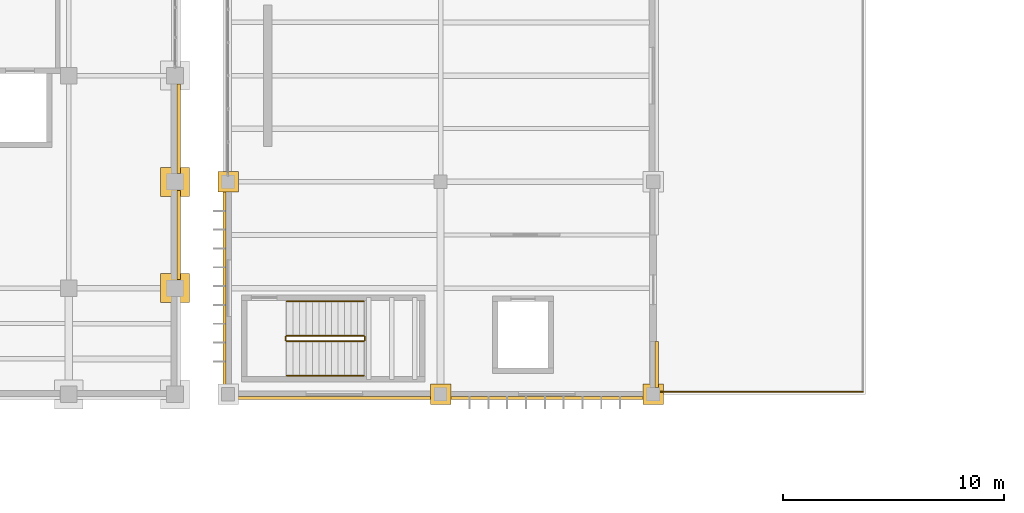
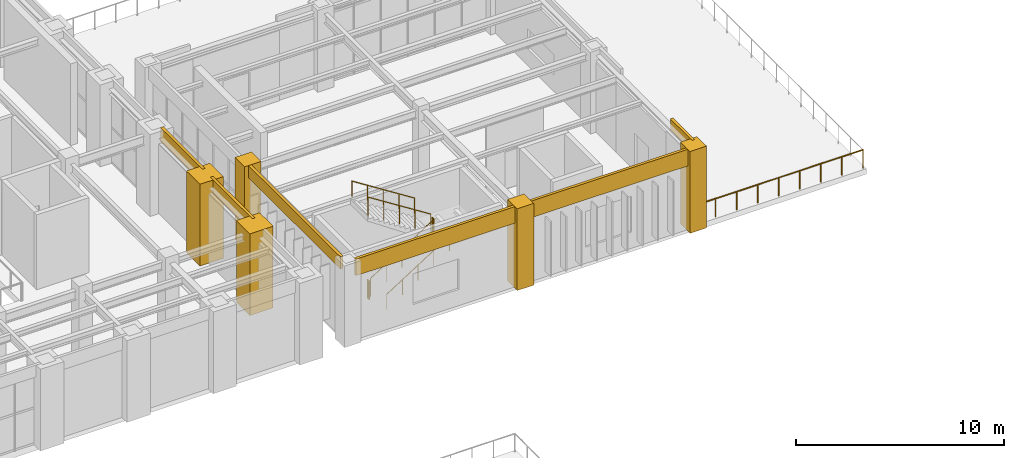
# One storey, part 70 of 83: 11 coverings, 7 railings.
"""IFC4 building model written with IfcOpenShell, lengths in metres."""

from ifc_helpers import new_model, si_unit, direction, frame, origin, origin_2d, place, context, subcontext, project, spatial, polyline, circle, outline, extrude, material, layer, layer_set, type_object, element, save


model = new_model("IFC4")

# Units and contexts
model_context = context("Model", 3, precision=1e-05, world=origin(), true_north=direction((0.0, 1.0)))
body_context = subcontext(model_context, "Body", "Model", "MODEL_VIEW")
ifc_project = project(units=[si_unit("LENGTHUNIT", "METRE"), si_unit("AREAUNIT", "SQUARE_METRE"), si_unit("VOLUMEUNIT", "CUBIC_METRE"), si_unit("PLANEANGLEUNIT", "RADIAN"), si_unit("MASSUNIT", "GRAM", prefix="KILO")], contexts=[model_context])

# Site, building, storey
site_placement = place(None, origin())
site = spatial("IfcSite", under=ifc_project, at=site_placement, CompositionType="ELEMENT")
building_placement = place(site_placement, origin())
building = spatial("IfcBuilding", under=site, at=building_placement, Name="Mavantir Sound Aquarium", CompositionType="ELEMENT")
storey_placement = place(building_placement, frame((0.0, 0.0, 10.5)))
storey = spatial("IfcBuildingStorey", under=building, at=storey_placement, Name="L02", CompositionType="ELEMENT", Elevation=10.5)

# Coverings
ifc_material_1 = material(Name="Honed Coral-Limestone & Glazed Terracotta Rainscreen Cladding", Category="masonry")
ifc_layer = layer(ifc_material_1, 0.06005859375, Name="Honed Coral-Limestone & Glazed Terracotta Rainscreen Cladding")
ifc_layer_set = layer_set([ifc_layer], Name="Honed Coral-Limestone & Glazed Terracotta Rainscreen Cladding")
covering_type = type_object("IfcCoveringType", Name="COV-CLAD-TC", PredefinedType="CLADDING", material=ifc_layer_set)
covering_1_placement = place(storey_placement, frame((0.0, 0.0, 4.008056640625)))
element("IfcCovering", 1, at=covering_1_placement, inside=storey, type_object=covering_type, Name="L02 Postmodern coral-limestone spandrel frieze 286", PredefinedType="CLADDING", context=body_context, shape_type="SweptSolid", body=[
    extrude(outline(polyline([(33.68994140625, 45.98291015625), (33.68994140625, 50.01708984375), (33.840087890625, 50.01708984375), (33.840087890625, 45.98291015625), (33.68994140625, 45.98291015625)])), origin(), (0.0, 0.0, 1.0), 0.7919921875),
])
covering_2_placement = place(storey_placement, frame((0.0, 0.0, 4.008056640625)))
element("IfcCovering", 2, at=covering_2_placement, inside=storey, type_object=covering_type, Name="L02 Postmodern coral-limestone spandrel frieze 287", PredefinedType="CLADDING", context=body_context, shape_type="SweptSolid", body=[
    extrude(outline(polyline([(33.68994140625, 50.782958984375), (33.68994140625, 54.81689453125), (33.840087890625, 54.81689453125), (33.840087890625, 50.782958984375), (33.68994140625, 50.782958984375)])), origin(), (0.0, 0.0, 1.0), 0.7919921875),
])
covering_3_placement = place(storey_placement, frame((0.0, 0.0, 4.1279296875)))
element("IfcCovering", 3, at=covering_3_placement, inside=storey, type_object=covering_type, Name="L02 Postmodern coral-limestone spandrel frieze 314", PredefinedType="CLADDING", context=body_context, shape_type="SweptSolid", body=[
    extrude(outline(polyline([(55.2900390625, 41.10791015625), (55.2900390625, 43.195068359375), (55.43994140625, 43.195068359375), (55.43994140625, 41.10791015625), (55.2900390625, 41.10791015625)])), origin(), (0.0, 0.0, 1.0), 0.672119140625),
])
covering_4_placement = place(storey_placement, frame((0.0, 0.0, 4.0830078125)))
element("IfcCovering", 4, at=covering_4_placement, inside=storey, type_object=covering_type, Name="L02 Postmodern coral-limestone spandrel frieze 321", PredefinedType="CLADDING", context=body_context, shape_type="SweptSolid", body=[
    extrude(outline(polyline([(35.909912109375, 50.092041015625), (35.909912109375, 41.10791015625), (35.760009765625, 41.10791015625), (35.760009765625, 50.092041015625), (35.909912109375, 50.092041015625)])), origin(), (0.0, 0.0, 1.0), 0.717041015625),
])
covering_5_placement = place(storey_placement, frame((0.0, 0.0, 3.824951171875)))
element("IfcCovering", 5, at=covering_5_placement, inside=storey, type_object=covering_type, Name="L02 Postmodern coral-limestone spandrel frieze 322", PredefinedType="CLADDING", context=body_context, shape_type="SweptSolid", body=[
    extrude(outline(polyline([(36.30810546875, 40.7099609375), (45.2919921875, 40.7099609375), (45.2919921875, 40.56005859375), (36.30810546875, 40.56005859375), (36.30810546875, 40.7099609375)])), origin(), (0.0, 0.0, 1.0), 0.97509765625),
])
covering_6_placement = place(storey_placement, frame((0.0, 0.0, 3.824951171875)))
element("IfcCovering", 6, at=covering_6_placement, inside=storey, type_object=covering_type, Name="L02 Postmodern coral-limestone spandrel frieze 323", PredefinedType="CLADDING", context=body_context, shape_type="SweptSolid", body=[
    extrude(outline(polyline([(45.907958984375, 40.7099609375), (54.89208984375, 40.7099609375), (54.89208984375, 40.56005859375), (45.907958984375, 40.56005859375), (45.907958984375, 40.7099609375)])), origin(), (0.0, 0.0, 1.0), 0.97509765625),
])
covering_7_placement = place(storey_placement, origin())
element("IfcCovering", 7, at=covering_7_placement, inside=storey, type_object=covering_type, Name="L02 Postmodern coral-limestone pilaster casing 91", PredefinedType="CLADDING", context=body_context, shape_type="SweptSolid", body=[
    extrude(outline(polyline([(32.949951171875, 44.949951171875), (34.25, 44.949951171875), (34.25, 46.25), (32.949951171875, 46.25), (32.949951171875, 44.949951171875)])), origin(), (0.0, 0.0, 1.0), 4.800048828125),
])
covering_8_placement = place(storey_placement, origin())
element("IfcCovering", 8, at=covering_8_placement, inside=storey, type_object=covering_type, Name="L02 Postmodern coral-limestone pilaster casing 95", PredefinedType="CLADDING", context=body_context, shape_type="SweptSolid", body=[
    extrude(outline(polyline([(32.949951171875, 49.75), (34.25, 49.75), (34.25, 51.050048828125), (32.949951171875, 51.050048828125), (32.949951171875, 49.75)])), origin(), (0.0, 0.0, 1.0), 4.800048828125),
])
covering_9_placement = place(storey_placement, origin())
element("IfcCovering", 9, at=covering_9_placement, inside=storey, type_object=covering_type, Name="L02 Postmodern coral-limestone pilaster casing 127", PredefinedType="CLADDING", context=body_context, shape_type="SweptSolid", body=[
    extrude(outline(polyline([(35.5400390625, 49.93994140625), (36.4599609375, 49.93994140625), (36.4599609375, 50.860107421875), (35.5400390625, 50.860107421875), (35.5400390625, 49.93994140625)])), origin(), (0.0, 0.0, 1.0), 4.800048828125),
])
covering_10_placement = place(storey_placement, origin())
element("IfcCovering", 10, at=covering_10_placement, inside=storey, type_object=covering_type, Name="L02 Postmodern coral-limestone pilaster casing 136", PredefinedType="CLADDING", context=body_context, shape_type="SweptSolid", body=[
    extrude(outline(polyline([(45.139892578125, 40.340087890625), (46.06005859375, 40.340087890625), (46.06005859375, 41.260009765625), (45.139892578125, 41.260009765625), (45.139892578125, 40.340087890625)])), origin(), (0.0, 0.0, 1.0), 4.800048828125),
])
covering_11_placement = place(storey_placement, origin())
element("IfcCovering", 11, at=covering_11_placement, inside=storey, type_object=covering_type, Name="L02 Postmodern coral-limestone pilaster casing 144", PredefinedType="CLADDING", context=body_context, shape_type="SweptSolid", body=[
    extrude(outline(polyline([(54.739990234375, 40.340087890625), (55.659912109375, 40.340087890625), (55.659912109375, 41.260009765625), (54.739990234375, 41.260009765625), (54.739990234375, 40.340087890625)])), origin(), (0.0, 0.0, 1.0), 4.800048828125),
])

# Railings
ifc_material_2 = material(Name="Stainless Steel 316 and Laminated Glass Guardrail", Category="steel")
railing_type_1 = type_object("IfcRailingType", Name="RL-GUARD-110", PredefinedType="GUARDRAIL", material=ifc_material_2)
railing_1_placement = place(storey_placement, frame((55.320068359375, 40.919921875, 0.0)))
element("IfcRailing", 12, at=railing_1_placement, inside=storey, type_object=railing_type_1, Name="L02 terrace S guardrail 14", PredefinedType="GUARDRAIL", context=body_context, shape_type="SweptSolid", body=[
    extrude(circle(Radius=0.02392578125, at=origin_2d()), frame((0.0, 0.0, 1.076171875), z_axis=(1.0, 0.0, 0.0), x_axis=(0.0, 1.0, 0.0)), (0.0, 0.0, 1.0), 9.35986328125),
    extrude(circle(Radius=0.02099609375, at=origin_2d()), origin(), (0.0, 0.0, 1.0), 1.052001953125),
    extrude(circle(Radius=0.02099609375, at=origin_2d()), frame((1.169921875, 0.0, 0.0)), (0.0, 0.0, 1.0), 1.052001953125),
    extrude(circle(Radius=0.02099609375, at=origin_2d()), frame((2.33984375, 0.0, 0.0)), (0.0, 0.0, 1.0), 1.052001953125),
    extrude(circle(Radius=0.02099609375, at=origin_2d()), frame((3.510009765625, 0.0, 0.0)), (0.0, 0.0, 1.0), 1.052001953125),
    extrude(circle(Radius=0.02099609375, at=origin_2d()), frame((4.679931640625, 0.0, 0.0)), (0.0, 0.0, 1.0), 1.052001953125),
    extrude(circle(Radius=0.02099609375, at=origin_2d()), frame((5.849853515625, 0.0, 0.0)), (0.0, 0.0, 1.0), 1.052001953125),
    extrude(circle(Radius=0.02099609375, at=origin_2d()), frame((7.02001953125, 0.0, 0.0)), (0.0, 0.0, 1.0), 1.052001953125),
    extrude(circle(Radius=0.02099609375, at=origin_2d()), frame((8.18994140625, 0.0, 0.0)), (0.0, 0.0, 1.0), 1.052001953125),
    extrude(circle(Radius=0.02099609375, at=origin_2d()), frame((9.35986328125, 0.0, 0.0)), (0.0, 0.0, 1.0), 1.052001953125),
])
railing_2_placement = place(storey_placement, frame((38.64990234375, 43.199951171875, 0.1845703125)))
element("IfcRailing", 13, at=railing_2_placement, inside=storey, type_object=railing_type_1, Name="L02 ST8 stair guard 1", PredefinedType="GUARDRAIL", context=body_context, shape_type="SweptSolid", body=[
    extrude(circle(Radius=0.02392578125, at=origin_2d()), frame((0.0, 0.0, 1.076171875), z_axis=(0.843573748531, 0.0, 0.537013343214), x_axis=(0.0, 1.0, 0.0)), (0.0, 0.0, 1.0), 4.125244140625),
    extrude(circle(Radius=0.02099609375, at=origin_2d()), origin(), (0.0, 0.0, 1.0), 1.052001953125),
    extrude(circle(Radius=0.02099609375, at=origin_2d()), frame((0.8701171875, 0.0, 0.5537109375)), (0.0, 0.0, 1.0), 1.052001953125),
    extrude(circle(Radius=0.02099609375, at=origin_2d()), frame((1.739990234375, 0.0, 1.107666015625)), (0.0, 0.0, 1.0), 1.052001953125),
    extrude(circle(Radius=0.02099609375, at=origin_2d()), frame((2.60986328125, 0.0, 1.66162109375)), (0.0, 0.0, 1.0), 1.052001953125),
    extrude(circle(Radius=0.02099609375, at=origin_2d()), frame((3.47998046875, 0.0, 2.21533203125)), (0.0, 0.0, 1.0), 1.052001953125),
])
railing_3_placement = place(storey_placement, frame((42.179931640625, 43.25, 2.39990234375)))
element("IfcRailing", 14, at=railing_3_placement, inside=storey, type_object=railing_type_1, Name="L02 ST8 stair guard 2", PredefinedType="GUARDRAIL", context=body_context, shape_type="SweptSolid", body=[
    extrude(circle(Radius=0.02392578125, at=origin_2d()), frame((0.0, 0.0, 1.076171875), z_axis=(0.0, 1.0, 0.0), x_axis=(-1.0, 0.0, 0.0)), (0.0, 0.0, 1.0), 0.14990234375),
    extrude(circle(Radius=0.02099609375, at=origin_2d()), origin(), (0.0, 0.0, 1.0), 1.052001953125),
    extrude(circle(Radius=0.02099609375, at=origin_2d()), frame((0.0, 0.14990234375, 0.0)), (0.0, 0.0, 1.0), 1.052001953125),
])
railing_4_placement = place(storey_placement, frame((42.1298828125, 43.449951171875, 2.584716796875)))
element("IfcRailing", 15, at=railing_4_placement, inside=storey, type_object=railing_type_1, Name="L02 ST8 stair guard 3", PredefinedType="GUARDRAIL", context=body_context, shape_type="SweptSolid", body=[
    extrude(circle(Radius=0.02392578125, at=origin_2d()), frame((0.0, 0.0, 1.076171875), z_axis=(-0.843573748531, 0.0, 0.537013343214), x_axis=(0.0, -1.0, 0.0)), (0.0, 0.0, 1.0), 4.125244140625),
    extrude(circle(Radius=0.02099609375, at=origin_2d()), origin(), (0.0, 0.0, 1.0), 1.052001953125),
    extrude(circle(Radius=0.02099609375, at=origin_2d()), frame((-0.8701171875, 0.0, 0.5537109375)), (0.0, 0.0, 1.0), 1.052001953125),
    extrude(circle(Radius=0.02099609375, at=origin_2d()), frame((-1.739990234375, 0.0, 1.107666015625)), (0.0, 0.0, 1.0), 1.052001953125),
    extrude(circle(Radius=0.02099609375, at=origin_2d()), frame((-2.60986328125, 0.0, 1.66162109375)), (0.0, 0.0, 1.0), 1.052001953125),
    extrude(circle(Radius=0.02099609375, at=origin_2d()), frame((-3.47998046875, 0.0, 2.21533203125)), (0.0, 0.0, 1.0), 1.052001953125),
])
railing_5_placement = place(storey_placement, frame((38.60009765625, 43.25, 0.0)))
element("IfcRailing", 16, at=railing_5_placement, inside=storey, type_object=railing_type_1, Name="L02 ST8 stair guard 4", PredefinedType="GUARDRAIL", context=body_context, shape_type="SweptSolid", body=[
    extrude(circle(Radius=0.02392578125, at=origin_2d()), frame((0.0, 0.0, 1.076171875), z_axis=(0.0, 1.0, 0.0), x_axis=(-1.0, 0.0, 0.0)), (0.0, 0.0, 1.0), 0.14990234375),
    extrude(circle(Radius=0.02099609375, at=origin_2d()), origin(), (0.0, 0.0, 1.0), 1.052001953125),
    extrude(circle(Radius=0.02099609375, at=origin_2d()), frame((0.0, 0.14990234375, 0.0)), (0.0, 0.0, 1.0), 1.052001953125),
])
ifc_material_3 = material(Name="Brushed Stainless Steel 316 Handrail", Category="steel")
railing_type_2 = type_object("IfcRailingType", Name="RL-HR-90", PredefinedType="HANDRAIL", material=ifc_material_3)
railing_6_placement = place(storey_placement, frame((38.64990234375, 41.64990234375, 0.36962890625)))
element("IfcRailing", 17, at=railing_6_placement, inside=storey, type_object=railing_type_2, Name="L02 ST8 stair handrail 1", PredefinedType="HANDRAIL", context=body_context, shape_type="SweptSolid", body=[
    extrude(circle(Radius=0.02392578125, at=origin_2d()), frame((0.0, 0.0, 0.89111328125), z_axis=(0.843573748531, 0.0, 0.537013343214), x_axis=(0.0, 1.0, 0.0)), (0.0, 0.0, 1.0), 4.125244140625),
    extrude(circle(Radius=0.02099609375, at=origin_2d()), origin(), (0.0, 0.0, 1.0), 0.866943359375),
    extrude(circle(Radius=0.02099609375, at=origin_2d()), frame((0.8701171875, 0.0, 0.5537109375)), (0.0, 0.0, 1.0), 0.866943359375),
    extrude(circle(Radius=0.02099609375, at=origin_2d()), frame((1.739990234375, 0.0, 1.107666015625)), (0.0, 0.0, 1.0), 0.866943359375),
    extrude(circle(Radius=0.02099609375, at=origin_2d()), frame((2.60986328125, 0.0, 1.66162109375)), (0.0, 0.0, 1.0), 0.866943359375),
    extrude(circle(Radius=0.02099609375, at=origin_2d()), frame((3.47998046875, 0.0, 2.21533203125)), (0.0, 0.0, 1.0), 0.866943359375),
])
railing_7_placement = place(storey_placement, frame((42.1298828125, 45.0, 2.76953125)))
element("IfcRailing", 18, at=railing_7_placement, inside=storey, type_object=railing_type_2, Name="L02 ST8 stair handrail 2", PredefinedType="HANDRAIL", context=body_context, shape_type="SweptSolid", body=[
    extrude(circle(Radius=0.02392578125, at=origin_2d()), frame((0.0, 0.0, 0.89111328125), z_axis=(-0.843546938479, 0.0, 0.53705545578), x_axis=(0.0, -1.0, 0.0)), (0.0, 0.0, 1.0), 4.12548828125),
    extrude(circle(Radius=0.02099609375, at=origin_2d()), origin(), (0.0, 0.0, 1.0), 0.866943359375),
    extrude(circle(Radius=0.02099609375, at=origin_2d()), frame((-0.8701171875, 0.0, 0.553955078125)), (0.0, 0.0, 1.0), 0.866943359375),
    extrude(circle(Radius=0.02099609375, at=origin_2d()), frame((-1.739990234375, 0.0, 1.10791015625)), (0.0, 0.0, 1.0), 0.866943359375),
    extrude(circle(Radius=0.02099609375, at=origin_2d()), frame((-2.60986328125, 0.0, 1.66162109375)), (0.0, 0.0, 1.0), 0.866943359375),
    extrude(circle(Radius=0.02099609375, at=origin_2d()), frame((-3.47998046875, 0.0, 2.215576171875)), (0.0, 0.0, 1.0), 0.866943359375),
])

save(model, "model.ifc")
